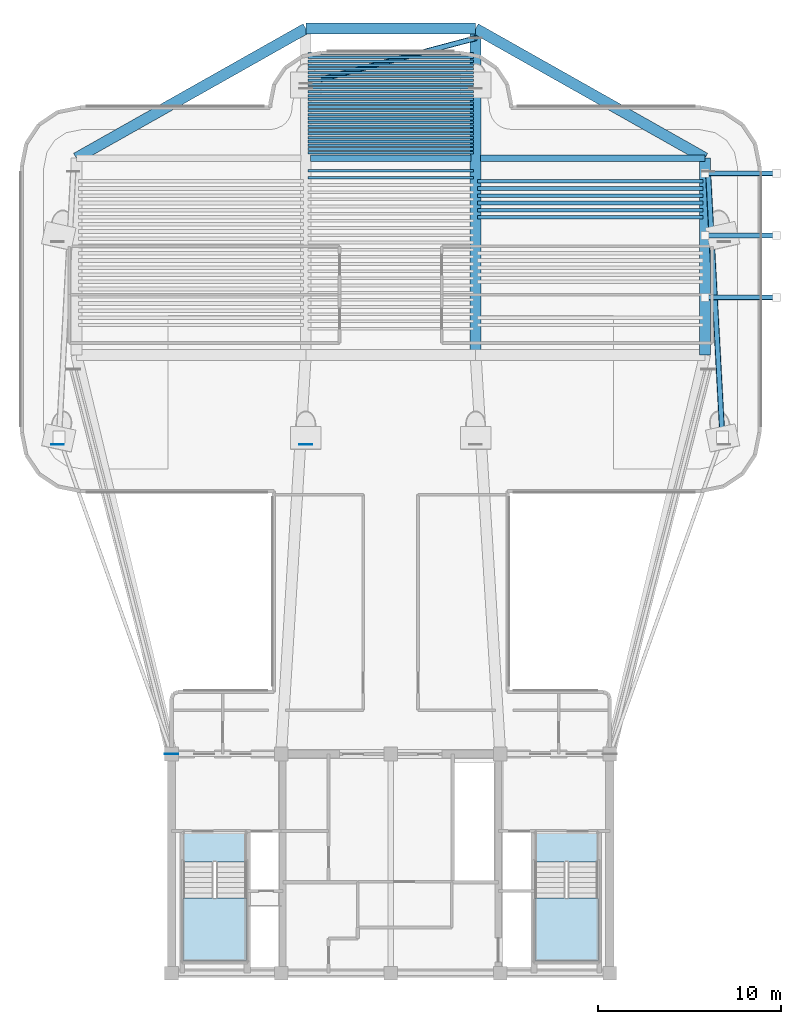
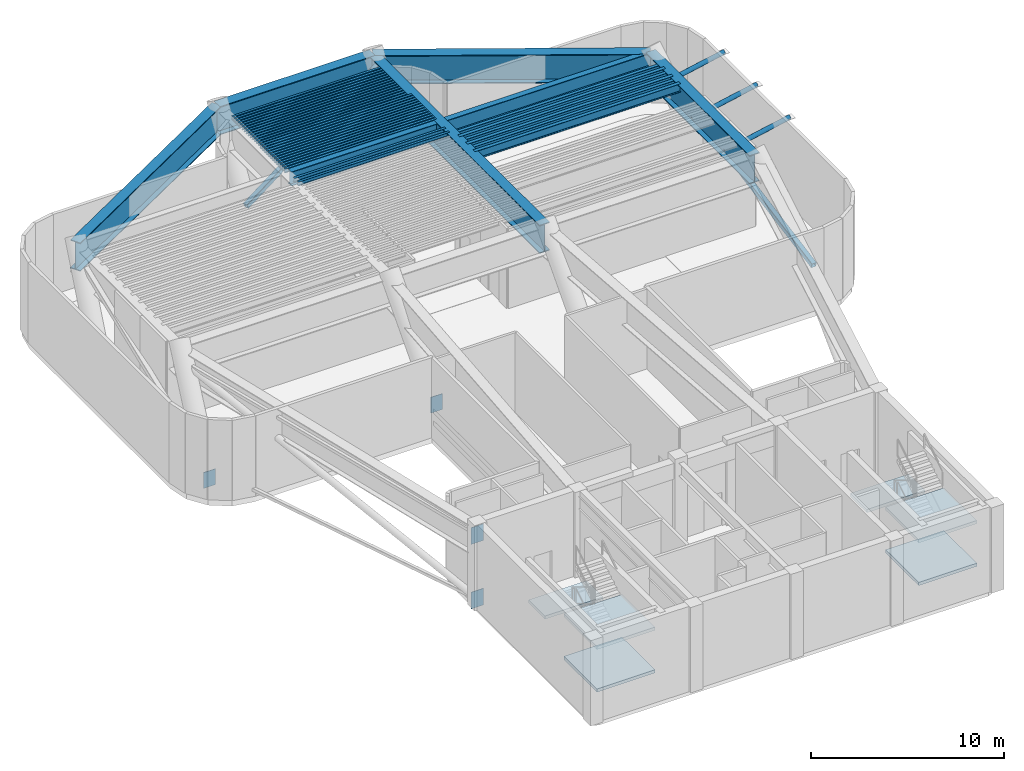
# One storey, part 2 of 11: 42 beams, 6 slabs, 5 members, 4 plates, 2 elements without a shape of their own.
"""IFC4 building model written with IfcOpenShell, lengths in metres."""

from ifc_helpers import new_model, si_unit, direction, frame, origin, origin_2d, place, context, subcontext, project, spatial, polyline, rectangle, hollow_rectangle, hollow_circle, i_section, outline, extrude, source, transform, mapped, material, layer, layer_set, material_profile, profile_set, type_object, element, aggregate, save


model = new_model("IFC4")

# Units and contexts
model_context = context("Model", 3, precision=1e-05, world=origin(), true_north=direction((0.0, 1.0)))
body_context = subcontext(model_context, "Body", "Model", "MODEL_VIEW")
ifc_project = project(units=[si_unit("LENGTHUNIT", "METRE"), si_unit("AREAUNIT", "SQUARE_METRE"), si_unit("VOLUMEUNIT", "CUBIC_METRE"), si_unit("PLANEANGLEUNIT", "RADIAN"), si_unit("MASSUNIT", "GRAM", prefix="KILO")], contexts=[model_context])

# Site, building, storey
site_placement = place(None, origin())
site = spatial("IfcSite", under=ifc_project, at=site_placement, CompositionType="ELEMENT")
building_placement = place(site_placement, origin())
building = spatial("IfcBuilding", under=site, at=building_placement, Name="Brelvock Crest Care Tower", CompositionType="ELEMENT")
storey_placement = place(building_placement, frame((0.0, 0.0, 213.1201171875)))
storey = spatial("IfcBuildingStorey", under=building, at=storey_placement, Name="L54", CompositionType="ELEMENT", Elevation=213.1201171875)

# Beams
ifc_material_1 = material(Name="Steel Grade 350", Category="steel")
ifc_material_profile_1 = material_profile(ifc_material_1, i_section(OverallWidth=0.60009765625, OverallDepth=1.800048828125, WebThickness=0.028076171875, FlangeThickness=0.052001953125, at=origin_2d()), Name="1800TG740")
ifc_profile_set_1 = profile_set([ifc_material_profile_1], Name="Steel Grade 350")
beam_type_1 = type_object("IfcBeamType", Name="BM-TG1", PredefinedType="USERDEFINED", material=ifc_profile_set_1)
shared_shape_1 = source(origin(), body_context, "Body", "SweptSolid", [
    extrude(i_section(OverallWidth=0.60009765625, OverallDepth=1.800048828125, WebThickness=0.028076171875, FlangeThickness=0.052001953125, at=origin_2d()), origin(), (0.0, 0.0, 1.0), 9.2998046875),
])
beam_1_placement = place(storey_placement, frame((31.35009765625, 57.72265625, 4.179931640625), z_axis=(1.0, 0.0, 0.0), x_axis=(0.0, 1.0, 0.0)))
element("IfcBeam", 1, at=beam_1_placement, inside=storey, type_object=beam_type_1, Name="BM-TWR-L54-08", ObjectType="GIRDER", PredefinedType="USERDEFINED", context=body_context, shape_type="MappedRepresentation", body=[
    mapped(shared_shape_1, transform((0.0, 0.0, 0.0), x_axis=(1.0, 0.0, 0.0), y_axis=(0.0, 1.0, 0.0), z_axis=(0.0, 0.0, 1.0), scale=1.0)),
])
ifc_material_profile_2 = material_profile(ifc_material_1, i_section(OverallWidth=0.14599609375, OverallDepth=0.256103515625, WebThickness=0.00634765625, FlangeThickness=0.010986328125, FilletRadius=0.0087890625, at=origin_2d()), Name="250UB37.3")
ifc_profile_set_2 = profile_set([ifc_material_profile_2], Name="Steel Grade 350")
beam_type_2 = type_object("IfcBeamType", Name="BM-J3", PredefinedType="JOIST", material=ifc_profile_set_2)
shared_shape_2 = source(origin(), body_context, "Body", "SweptSolid", [
    extrude(i_section(OverallWidth=0.14599609375, OverallDepth=0.256103515625, WebThickness=0.00634765625, FlangeThickness=0.010986328125, FilletRadius=0.0087890625, at=origin_2d()), origin(), (0.0, 0.0, 1.0), 9.06982421875),
])
for number, where, z_axis, x_axis, name in (
    (2, (31.465087890625, 49.5517578125, 4.951904296875), (1.0, 0.0, 0.0), (0.0, 1.0, 0.0), "BM-JH-L54-24"),
    (3, (31.465087890625, 49.945068359375, 4.951904296875), (1.0, 0.0, 0.0), (0.0, 1.0, 0.0), "BM-JH-L54-25"),
    (4, (31.465087890625, 50.915283203125, 4.951904296875), (1.0, 0.0, 0.0), (0.0, 1.0, 0.0), "BM-JN-L54-1"),
    (5, (31.465087890625, 51.12451171875, 4.951904296875), (1.0, 0.0, 0.0), (0.0, 1.0, 0.0), "BM-JN-L54-2"),
    (6, (31.465087890625, 51.333740234375, 4.951904296875), (1.0, 0.0, 0.0), (0.0, 1.0, 0.0), "BM-JN-L54-3"),
    (7, (31.465087890625, 51.54296875, 4.951904296875), (1.0, 0.0, 0.0), (0.0, 1.0, 0.0), "BM-JN-L54-4"),
    (8, (31.465087890625, 51.752197265625, 4.951904296875), (1.0, 0.0, 0.0), (0.0, 1.0, 0.0), "BM-JN-L54-5"),
    (9, (31.465087890625, 51.961181640625, 4.951904296875), (1.0, 0.0, 0.0), (0.0, 1.0, 0.0), "BM-JN-L54-6"),
    (10, (31.465087890625, 52.17041015625, 4.951904296875), (1.0, 0.0, 0.0), (0.0, 1.0, 0.0), "BM-JN-L54-7"),
    (11, (31.465087890625, 52.379638671875, 4.951904296875), (1.0, 0.0, 0.0), (0.0, 1.0, 0.0), "BM-JN-L54-8"),
    (12, (31.465087890625, 52.5888671875, 4.951904296875), (1.0, 0.0, 0.0), (0.0, 1.0, 0.0), "BM-JN-L54-9"),
    (13, (31.465087890625, 52.798095703125, 4.951904296875), (1.0, 0.0, 0.0), (0.0, 1.0, 0.0), "BM-JN-L54-10"),
    (14, (31.465087890625, 53.00732421875, 4.951904296875), (1.0, 0.0, 0.0), (0.0, 1.0, 0.0), "BM-JN-L54-11"),
    (15, (31.465087890625, 53.21630859375, 4.951904296875), (1.0, 0.0, 0.0), (0.0, 1.0, 0.0), "BM-JN-L54-12"),
    (16, (31.465087890625, 53.425537109375, 4.951904296875), (1.0, 0.0, 0.0), (0.0, 1.0, 0.0), "BM-JN-L54-13"),
):
    element("IfcBeam", number, at=place(storey_placement, frame(where, z_axis=z_axis, x_axis=x_axis)), inside=storey, type_object=beam_type_2, Name=name, PredefinedType="JOIST", context=body_context, shape_type="MappedRepresentation", body=[
        mapped(shared_shape_2, transform((0.0, 0.0, 0.0), x_axis=(1.0, 0.0, 0.0), y_axis=(0.0, 1.0, 0.0), z_axis=(0.0, 0.0, 1.0), scale=1.0)),
    ])
ifc_material_profile_3 = material_profile(ifc_material_1, i_section(OverallWidth=0.134033203125, OverallDepth=0.20703125, WebThickness=0.00634765625, FlangeThickness=0.009521484375, FilletRadius=0.0087890625, at=origin_2d()), Name="200UB29.8")
ifc_profile_set_3 = profile_set([ifc_material_profile_3], Name="Steel Grade 350")
beam_type_3 = type_object("IfcBeamType", Name="BM-J4", PredefinedType="JOIST", material=ifc_profile_set_3)
shared_shape_3 = source(origin(), body_context, "Body", "SweptSolid", [
    extrude(i_section(OverallWidth=0.134033203125, OverallDepth=0.20703125, WebThickness=0.00634765625, FlangeThickness=0.009521484375, FilletRadius=0.0087890625, at=origin_2d()), origin(), (0.0, 0.0, 1.0), 9.06982421875),
])
for number, where, z_axis, x_axis, name in (
    (17, (31.465087890625, 53.634765625, 4.976318359375), (1.0, 0.0, 0.0), (0.0, 1.0, 0.0), "BM-JN-L54-14"),
    (18, (31.465087890625, 53.843994140625, 4.976318359375), (1.0, 0.0, 0.0), (0.0, 1.0, 0.0), "BM-JN-L54-15"),
    (19, (31.465087890625, 54.05322265625, 4.976318359375), (1.0, 0.0, 0.0), (0.0, 1.0, 0.0), "BM-JN-L54-16"),
    (20, (31.465087890625, 54.26220703125, 4.976318359375), (1.0, 0.0, 0.0), (0.0, 1.0, 0.0), "BM-JN-L54-17"),
    (21, (31.465087890625, 54.471435546875, 4.976318359375), (1.0, 0.0, 0.0), (0.0, 1.0, 0.0), "BM-JN-L54-18"),
    (22, (31.465087890625, 54.6806640625, 4.976318359375), (1.0, 0.0, 0.0), (0.0, 1.0, 0.0), "BM-JN-L54-19"),
    (23, (31.465087890625, 54.889892578125, 4.976318359375), (1.0, 0.0, 0.0), (0.0, 1.0, 0.0), "BM-JN-L54-20"),
    (24, (31.465087890625, 55.09912109375, 4.976318359375), (1.0, 0.0, 0.0), (0.0, 1.0, 0.0), "BM-JN-L54-21"),
    (25, (31.465087890625, 55.30810546875, 4.976318359375), (1.0, 0.0, 0.0), (0.0, 1.0, 0.0), "BM-JN-L54-22"),
    (26, (31.465087890625, 55.517333984375, 4.976318359375), (1.0, 0.0, 0.0), (0.0, 1.0, 0.0), "BM-JN-L54-23"),
    (27, (31.465087890625, 55.7265625, 4.976318359375), (1.0, 0.0, 0.0), (0.0, 1.0, 0.0), "BM-JN-L54-24"),
    (28, (31.465087890625, 55.935791015625, 4.976318359375), (1.0, 0.0, 0.0), (0.0, 1.0, 0.0), "BM-JN-L54-25"),
    (29, (31.465087890625, 56.14501953125, 4.976318359375), (1.0, 0.0, 0.0), (0.0, 1.0, 0.0), "BM-JN-L54-26"),
    (30, (31.465087890625, 56.354248046875, 4.976318359375), (1.0, 0.0, 0.0), (0.0, 1.0, 0.0), "BM-JN-L54-27"),
):
    element("IfcBeam", number, at=place(storey_placement, frame(where, z_axis=z_axis, x_axis=x_axis)), inside=storey, type_object=beam_type_3, Name=name, PredefinedType="JOIST", context=body_context, shape_type="MappedRepresentation", body=[
        mapped(shared_shape_3, transform((0.0, 0.0, 0.0), x_axis=(1.0, 0.0, 0.0), y_axis=(0.0, 1.0, 0.0), z_axis=(0.0, 0.0, 1.0), scale=1.0)),
    ])
ifc_material_profile_4 = material_profile(ifc_material_1, i_section(OverallWidth=0.35009765625, OverallDepth=0.89990234375, WebThickness=0.01611328125, FlangeThickness=0.028076171875, at=origin_2d()), Name="900WB257")
ifc_profile_set_4 = profile_set([ifc_material_profile_4], Name="Steel Grade 350")
beam_type_4 = type_object("IfcBeamType", Name="BM-G6", PredefinedType="BEAM", material=ifc_profile_set_4)
shared_shape_4 = source(origin(), body_context, "Body", "SweptSolid", [
    extrude(i_section(OverallWidth=0.35009765625, OverallDepth=0.89990234375, WebThickness=0.01611328125, FlangeThickness=0.028076171875, at=origin_2d()), origin(), (0.0, 0.0, 1.0), 8.77978515625),
])
beam_2_placement = place(storey_placement, frame((31.610107421875, 50.6318359375, 4.6298828125), z_axis=(1.0, 0.0, 0.0), x_axis=(0.0, 1.0, 0.0)))
element("IfcBeam", 31, at=beam_2_placement, inside=storey, type_object=beam_type_4, Name="BM-TIE-L54-C", PredefinedType="BEAM", context=body_context, shape_type="MappedRepresentation", body=[
    mapped(shared_shape_4, transform((0.0, 0.0, 0.0), x_axis=(1.0, 0.0, 0.0), y_axis=(0.0, 1.0, 0.0), z_axis=(0.0, 0.0, 1.0), scale=1.0)),
])

# Member
ifc_material_profile_5 = material_profile(ifc_material_1, hollow_rectangle(XDim=0.300048828125, YDim=0.300048828125, WallThickness=0.01611328125, OuterFilletRadius=0.031982421875, at=origin_2d()), Name="SHS300x300x16.0")
ifc_profile_set_5 = profile_set([ifc_material_profile_5], Name="Steel Grade 350")
member_type_1 = type_object("IfcMemberType", Name="MEM-BR4", PredefinedType="BRACE", material=ifc_profile_set_5)
shared_shape_5 = source(origin(), body_context, "Body", "SweptSolid", [
    extrude(hollow_rectangle(XDim=0.300048828125, YDim=0.300048828125, WallThickness=0.01611328125, OuterFilletRadius=0.031982421875, at=origin_2d()), origin(), (0.0, 0.0, 1.0), 10.4521484375),
])
member_1_placement = place(storey_placement, frame((31.35009765625, 54.72265625, 0.449951171875), z_axis=(0.889758541063, 0.236571314289, 0.390337996947), x_axis=(-0.256955147612, 0.966423329662, 0.0)))
element("IfcMember", 32, at=member_1_placement, inside=storey, type_object=member_type_1, Name="L54 Belt Truss Brace BN-1", PredefinedType="BRACE", context=body_context, shape_type="MappedRepresentation", body=[
    mapped(shared_shape_5, transform((0.0, 0.0, 0.0), x_axis=(1.0, 0.0, 0.0), y_axis=(0.0, 1.0, 0.0), z_axis=(0.0, 0.0, 1.0), scale=1.0)),
])

# Beams
shared_shape_6 = source(origin(), body_context, "Body", "SweptSolid", [
    extrude(i_section(OverallWidth=0.60009765625, OverallDepth=1.800048828125, WebThickness=0.028076171875, FlangeThickness=0.052001953125, at=origin_2d()), origin(), (0.0, 0.0, 1.0), 10.772705078125),
])
beam_3_placement = place(storey_placement, frame((53.213623046875, 39.859130859375, 4.179931640625), z_axis=(0.0, 1.0, 0.0), x_axis=(-1.0, 0.0, 0.0)))
element("IfcBeam", 33, at=beam_3_placement, inside=storey, type_object=beam_type_1, Name="BM-TWR-L54-02", ObjectType="GIRDER", PredefinedType="USERDEFINED", context=body_context, shape_type="MappedRepresentation", body=[
    mapped(shared_shape_6, transform((0.0, 0.0, 0.0), x_axis=(1.0, 0.0, 0.0), y_axis=(0.0, 1.0, 0.0), z_axis=(0.0, 0.0, 1.0), scale=1.0)),
])
shared_shape_7 = source(origin(), body_context, "Body", "SweptSolid", [
    extrude(i_section(OverallWidth=0.60009765625, OverallDepth=1.800048828125, WebThickness=0.028076171875, FlangeThickness=0.052001953125, at=origin_2d()), origin(), (0.0, 0.0, 1.0), 14.426513671875),
])
for number, where, z_axis, x_axis, name in (
    (34, (18.786376953125, 50.6318359375, 4.179931640625), (0.870871862213, 0.49151012157, 0.0), (-0.49151012157, 0.870871862213, 0.0), "BM-TWR-L54-06"),
    (35, (40.64990234375, 57.72265625, 4.179931640625), (0.870871862213, -0.49151012157, 0.0), (0.49151012157, 0.870871862213, 0.0), "BM-TWR-L54-07"),
):
    element("IfcBeam", number, at=place(storey_placement, frame(where, z_axis=z_axis, x_axis=x_axis)), inside=storey, type_object=beam_type_1, Name=name, ObjectType="GIRDER", PredefinedType="USERDEFINED", context=body_context, shape_type="MappedRepresentation", body=[
        mapped(shared_shape_7, transform((0.0, 0.0, 0.0), x_axis=(1.0, 0.0, 0.0), y_axis=(0.0, 1.0, 0.0), z_axis=(0.0, 0.0, 1.0), scale=1.0)),
    ])
shared_shape_8 = source(origin(), body_context, "Body", "SweptSolid", [
    extrude(i_section(OverallWidth=0.60009765625, OverallDepth=1.800048828125, WebThickness=0.028076171875, FlangeThickness=0.052001953125, at=origin_2d()), origin(), (0.0, 0.0, 1.0), 17.863525390625),
])
beam_4_placement = place(storey_placement, frame((40.64990234375, 39.859130859375, 4.179931640625), z_axis=(0.0, 1.0, 0.0), x_axis=(-1.0, 0.0, 0.0)))
element("IfcBeam", 36, at=beam_4_placement, inside=storey, type_object=beam_type_1, Name="BM-TWR-L54-10", ObjectType="GIRDER", PredefinedType="USERDEFINED", context=body_context, shape_type="MappedRepresentation", body=[
    mapped(shared_shape_8, transform((0.0, 0.0, 0.0), x_axis=(1.0, 0.0, 0.0), y_axis=(0.0, 1.0, 0.0), z_axis=(0.0, 0.0, 1.0), scale=1.0)),
])
shared_shape_9 = source(origin(), body_context, "Body", "SweptSolid", [
    extrude(i_section(OverallWidth=0.35009765625, OverallDepth=0.89990234375, WebThickness=0.01611328125, FlangeThickness=0.028076171875, at=origin_2d()), origin(), (0.0, 0.0, 1.0), 12.3037109375),
])
beam_5_placement = place(storey_placement, frame((40.909912109375, 50.6318359375, 4.6298828125), z_axis=(1.0, 0.0, 0.0), x_axis=(0.0, 1.0, 0.0)))
element("IfcBeam", 37, at=beam_5_placement, inside=storey, type_object=beam_type_4, Name="BM-TIE-L54-E", PredefinedType="BEAM", context=body_context, shape_type="MappedRepresentation", body=[
    mapped(shared_shape_9, transform((0.0, 0.0, 0.0), x_axis=(1.0, 0.0, 0.0), y_axis=(0.0, 1.0, 0.0), z_axis=(0.0, 0.0, 1.0), scale=1.0)),
])
ifc_material_profile_6 = material_profile(ifc_material_1, i_section(OverallWidth=0.19091796875, OverallDepth=0.4599609375, WebThickness=0.010009765625, FlangeThickness=0.01611328125, FilletRadius=0.011474609375, at=origin_2d()), Name="460UB82.1")
ifc_profile_set_6 = profile_set([ifc_material_profile_6], Name="Steel Grade 350")
beam_type_5 = type_object("IfcBeamType", Name="BM-G3", PredefinedType="BEAM", material=ifc_profile_set_6)
shared_shape_10 = source(origin(), body_context, "Body", "SweptSolid", [
    extrude(i_section(OverallWidth=0.19091796875, OverallDepth=0.4599609375, WebThickness=0.010009765625, FlangeThickness=0.01611328125, FilletRadius=0.011474609375, at=origin_2d()), origin(), (0.0, 0.0, 1.0), 12.333740234375),
])
for number, where, z_axis, x_axis, name in (
    (38, (40.764892578125, 47.782470703125, 4.849853515625), (1.0, 0.0, 0.0), (0.0, 1.0, 0.0), "BM-JE-L54-20"),
    (39, (40.764892578125, 48.56884765625, 4.849853515625), (1.0, 0.0, 0.0), (0.0, 1.0, 0.0), "BM-JE-L54-22"),
    (40, (40.764892578125, 49.355224609375, 4.849853515625), (1.0, 0.0, 0.0), (0.0, 1.0, 0.0), "BM-JE-L54-24"),
):
    element("IfcBeam", number, at=place(storey_placement, frame(where, z_axis=z_axis, x_axis=x_axis)), inside=storey, type_object=beam_type_5, Name=name, PredefinedType="BEAM", context=body_context, shape_type="MappedRepresentation", body=[
        mapped(shared_shape_10, transform((0.0, 0.0, 0.0), x_axis=(1.0, 0.0, 0.0), y_axis=(0.0, 1.0, 0.0), z_axis=(0.0, 0.0, 1.0), scale=1.0)),
    ])
ifc_material_profile_7 = material_profile(ifc_material_1, i_section(OverallWidth=0.208984375, OverallDepth=0.532958984375, WebThickness=0.01025390625, FlangeThickness=0.015625, FilletRadius=0.013916015625, at=origin_2d()), Name="530UB92.4")
ifc_profile_set_7 = profile_set([ifc_material_profile_7], Name="Steel Grade 350")
beam_type_6 = type_object("IfcBeamType", Name="BM-G2", PredefinedType="BEAM", material=ifc_profile_set_7)
shared_shape_11 = source(origin(), body_context, "Body", "SweptSolid", [
    extrude(i_section(OverallWidth=0.208984375, OverallDepth=0.532958984375, WebThickness=0.01025390625, FlangeThickness=0.015625, FilletRadius=0.013916015625, at=origin_2d()), origin(), (0.0, 0.0, 1.0), 12.333740234375),
])
for number, where, z_axis, x_axis, name in (
    (41, (40.764892578125, 47.38916015625, 4.8134765625), (1.0, 0.0, 0.0), (0.0, 1.0, 0.0), "BM-JE-L54-19"),
    (42, (40.764892578125, 48.175537109375, 4.8134765625), (1.0, 0.0, 0.0), (0.0, 1.0, 0.0), "BM-JE-L54-21"),
    (43, (40.764892578125, 48.9619140625, 4.8134765625), (1.0, 0.0, 0.0), (0.0, 1.0, 0.0), "BM-JE-L54-23"),
):
    element("IfcBeam", number, at=place(storey_placement, frame(where, z_axis=z_axis, x_axis=x_axis)), inside=storey, type_object=beam_type_6, Name=name, PredefinedType="BEAM", context=body_context, shape_type="MappedRepresentation", body=[
        mapped(shared_shape_11, transform((0.0, 0.0, 0.0), x_axis=(1.0, 0.0, 0.0), y_axis=(0.0, 1.0, 0.0), z_axis=(0.0, 0.0, 1.0), scale=1.0)),
    ])

# Members
shared_shape_12 = source(origin(), body_context, "Body", "SweptSolid", [
    extrude(hollow_rectangle(XDim=0.300048828125, YDim=0.300048828125, WallThickness=0.01611328125, OuterFilletRadius=0.031982421875, at=origin_2d()), origin(), (0.0, 0.0, 1.0), 15.116455078125),
])
member_2_placement = place(storey_placement, frame((54.16357421875, 35.359130859375, 0.449951171875), z_axis=(-0.051795107487, 0.961496144069, 0.269893371131), x_axis=(-0.998552200463, -0.05379129066, 0.0)))
element("IfcMember", 44, at=member_2_placement, inside=storey, type_object=member_type_1, Name="L54 Belt Truss Brace BE-1", PredefinedType="BRACE", context=body_context, shape_type="MappedRepresentation", body=[
    mapped(shared_shape_12, transform((0.0, 0.0, 0.0), x_axis=(1.0, 0.0, 0.0), y_axis=(0.0, 1.0, 0.0), z_axis=(0.0, 0.0, 1.0), scale=1.0)),
])
ifc_material_profile_8 = material_profile(ifc_material_1, hollow_circle(Radius=0.136474609375, WallThickness=0.00927734375, at=origin_2d()), Name="CHS273.1x9.3")
ifc_profile_set_8 = profile_set([ifc_material_profile_8], Name="Steel Grade 350")
member_type_2 = type_object("IfcMemberType", Name="MEM-ST2", PredefinedType="STRUT", material=ifc_profile_set_8)
shared_shape_13 = source(origin(), body_context, "Body", "SweptSolid", [
    extrude(hollow_circle(Radius=0.136474609375, WallThickness=0.00927734375, at=origin_2d()), origin(), (0.0, 0.0, 1.0), 3.9970703125),
])
for number, where, z_axis, x_axis, name in (
    (45, (53.213623046875, 43.0, 3.349853515625), (0.979764231943, 0.0, 0.200155064402), (0.0, 1.0, 0.0), "L55 Sky Pool Raking Strut 1"),
    (46, (53.213623046875, 46.39990234375, 3.349853515625), (0.979764231943, 0.0, 0.200155064402), (0.0, 1.0, 0.0), "L55 Sky Pool Raking Strut 2"),
    (47, (53.213623046875, 49.800048828125, 3.349853515625), (0.979764231943, 0.0, 0.200155064402), (0.0, 1.0, 0.0), "L55 Sky Pool Raking Strut 3"),
):
    element("IfcMember", number, at=place(storey_placement, frame(where, z_axis=z_axis, x_axis=x_axis)), inside=storey, type_object=member_type_2, Name=name, PredefinedType="STRUT", context=body_context, shape_type="MappedRepresentation", body=[
        mapped(shared_shape_13, transform((0.0, 0.0, 0.0), x_axis=(1.0, 0.0, 0.0), y_axis=(0.0, 1.0, 0.0), z_axis=(0.0, 0.0, 1.0), scale=1.0)),
    ])

# Stair, slabs
ifc_material_2 = material(Name="Concrete N40 (40 MPa)", Category="concrete")
stair_type = type_object("IfcStairType", Name="ST-CORE1", PredefinedType="HALF_TURN_STAIR", material=ifc_material_2)
stair_1_placement = place(storey_placement, origin())
stair_1 = element("IfcStair", 48, at=stair_1_placement, inside=storey, type_object=stair_type, Name="L54 Fire-Isolated Core Stair ST-1", PredefinedType="HALF_TURN_STAIR")
ifc_layer = layer(ifc_material_2, 0.199951171875, Name="STL-1")
ifc_layer_set = layer_set([ifc_layer], Name="Concrete N40 (40 MPa)")
slab_type = type_object("IfcSlabType", Name="STL-1", PredefinedType="LANDING", material=ifc_layer_set)
slab_1_placement = place(storey_placement, frame((0.0, 0.0, 1.14990234375)))
slab_1 = element("IfcSlab", 49, at=slab_1_placement, type_object=slab_type, Name="ST-1 landing 1", PredefinedType="LANDING", context=body_context, shape_type="SweptSolid", body=[
    extrude(outline(polyline([(24.6298828125, 10.1201171875), (24.6298828125, 6.699951171875), (28.110107421875, 6.699951171875), (28.110107421875, 10.1201171875), (24.6298828125, 10.1201171875)])), origin(), (0.0, 0.0, 1.0), 0.199951171875),
])
slab_2_placement = place(storey_placement, frame((0.0, 0.0, 2.5)))
slab_2 = element("IfcSlab", 50, at=slab_2_placement, type_object=slab_type, Name="ST-1 landing 2", PredefinedType="LANDING", context=body_context, shape_type="SweptSolid", body=[
    extrude(outline(polyline([(24.6298828125, 13.780029296875), (24.6298828125, 12.080078125), (28.110107421875, 12.080078125), (28.110107421875, 13.780029296875), (24.6298828125, 13.780029296875)])), origin(), (0.0, 0.0, 1.0), 0.199951171875),
])
slab_3_placement = place(storey_placement, frame((0.0, 0.0, 3.849853515625)))
slab_3 = element("IfcSlab", 51, at=slab_3_placement, type_object=slab_type, Name="ST-1 landing 3", PredefinedType="LANDING", context=body_context, shape_type="SweptSolid", body=[
    extrude(outline(polyline([(24.6298828125, 10.1201171875), (24.6298828125, 6.699951171875), (28.110107421875, 6.699951171875), (28.110107421875, 10.1201171875), (24.6298828125, 10.1201171875)])), origin(), (0.0, 0.0, 1.0), 0.199951171875),
])
aggregate(stair_1, [slab_1, slab_2, slab_3])

stair_2_placement = place(storey_placement, origin())
stair_2 = element("IfcStair", 52, at=stair_2_placement, inside=storey, type_object=stair_type, Name="L54 Fire-Isolated Core Stair ST-2", PredefinedType="HALF_TURN_STAIR")
slab_4_placement = place(storey_placement, frame((0.0, 0.0, 1.14990234375)))
slab_4 = element("IfcSlab", 53, at=slab_4_placement, type_object=slab_type, Name="ST-2 landing 1", PredefinedType="LANDING", context=body_context, shape_type="SweptSolid", body=[
    extrude(outline(polyline([(43.889892578125, 10.1201171875), (43.889892578125, 6.699951171875), (47.3701171875, 6.699951171875), (47.3701171875, 10.1201171875), (43.889892578125, 10.1201171875)])), origin(), (0.0, 0.0, 1.0), 0.199951171875),
])
slab_5_placement = place(storey_placement, frame((0.0, 0.0, 2.5)))
slab_5 = element("IfcSlab", 54, at=slab_5_placement, type_object=slab_type, Name="ST-2 landing 2", PredefinedType="LANDING", context=body_context, shape_type="SweptSolid", body=[
    extrude(outline(polyline([(43.889892578125, 13.780029296875), (43.889892578125, 12.080078125), (47.3701171875, 12.080078125), (47.3701171875, 13.780029296875), (43.889892578125, 13.780029296875)])), origin(), (0.0, 0.0, 1.0), 0.199951171875),
])
slab_6_placement = place(storey_placement, frame((0.0, 0.0, 3.849853515625)))
slab_6 = element("IfcSlab", 55, at=slab_6_placement, type_object=slab_type, Name="ST-2 landing 3", PredefinedType="LANDING", context=body_context, shape_type="SweptSolid", body=[
    extrude(outline(polyline([(43.889892578125, 10.1201171875), (43.889892578125, 6.699951171875), (47.3701171875, 6.699951171875), (47.3701171875, 10.1201171875), (43.889892578125, 10.1201171875)])), origin(), (0.0, 0.0, 1.0), 0.199951171875),
])
aggregate(stair_2, [slab_4, slab_5, slab_6])

# Plates
plate_type_1 = type_object("IfcPlateType", Name="PLT-KN3", PredefinedType="USERDEFINED", material=ifc_material_1)
shared_shape_14 = source(origin(), body_context, "Body", "SweptSolid", [
    extrude(rectangle(XDim=0.699951171875, YDim=0.031982421875, at=origin_2d()), origin(), (0.0, 0.0, 1.0), 1.0),
])
for number, where, z_axis, x_axis, name in (
    (56, (17.75, 34.949951171875, -0.550048828125), (0.0, 0.0, 1.0), (1.0, 0.0, 0.0), "PLT-KINK-L54-01"),
    (57, (31.35009765625, 34.949951171875, -0.550048828125), (0.0, 0.0, 1.0), (1.0, 0.0, 0.0), "PLT-KINK-L54-05"),
):
    element("IfcPlate", number, at=place(storey_placement, frame(where, z_axis=z_axis, x_axis=x_axis)), inside=storey, type_object=plate_type_1, Name=name, ObjectType="GUSSET", PredefinedType="USERDEFINED", context=body_context, shape_type="MappedRepresentation", body=[
        mapped(shared_shape_14, transform((0.0, 0.0, 0.0), x_axis=(1.0, 0.0, 0.0), y_axis=(0.0, 1.0, 0.0), z_axis=(0.0, 0.0, 1.0), scale=1.0)),
    ])
plate_type_2 = type_object("IfcPlateType", Name="PLT-ON2", PredefinedType="USERDEFINED", material=ifc_material_1)
shared_shape_15 = source(origin(), body_context, "Body", "SweptSolid", [
    extrude(rectangle(XDim=0.75, YDim=0.031982421875, at=origin_2d()), origin(), (0.0, 0.0, 1.0), 1.050048828125),
])
for number, where, z_axis, x_axis, name in (
    (58, (24.0, 18.0, -0.0751953125), (0.0, 0.0, 1.0), (1.0, 0.0, 0.0), "PLT-OT-L54-W1-CB"),
    (59, (24.0, 18.0, 4.0048828125), (0.0, 0.0, 1.0), (1.0, 0.0, 0.0), "PLT-OT-L54-W1-CT"),
):
    element("IfcPlate", number, at=place(storey_placement, frame(where, z_axis=z_axis, x_axis=x_axis)), inside=storey, type_object=plate_type_2, Name=name, ObjectType="GUSSET", PredefinedType="USERDEFINED", context=body_context, shape_type="MappedRepresentation", body=[
        mapped(shared_shape_15, transform((0.0, 0.0, 0.0), x_axis=(1.0, 0.0, 0.0), y_axis=(0.0, 1.0, 0.0), z_axis=(0.0, 0.0, 1.0), scale=1.0)),
    ])

save(model, "model.ifc")
